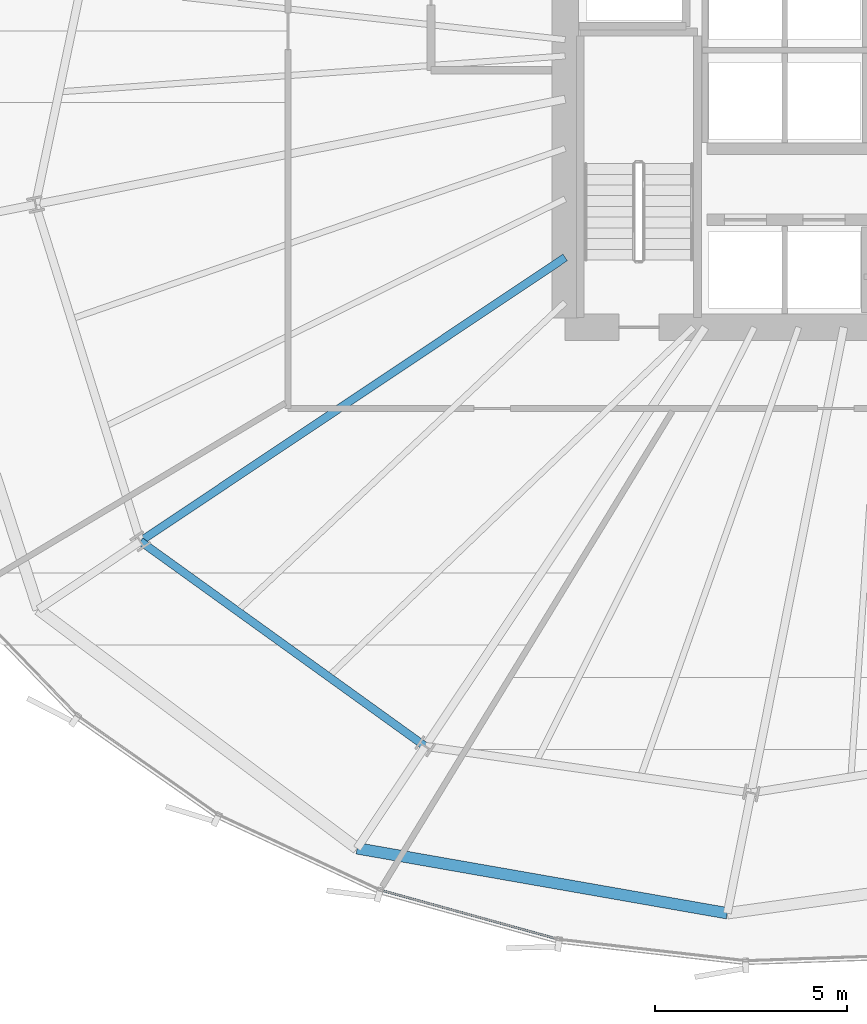
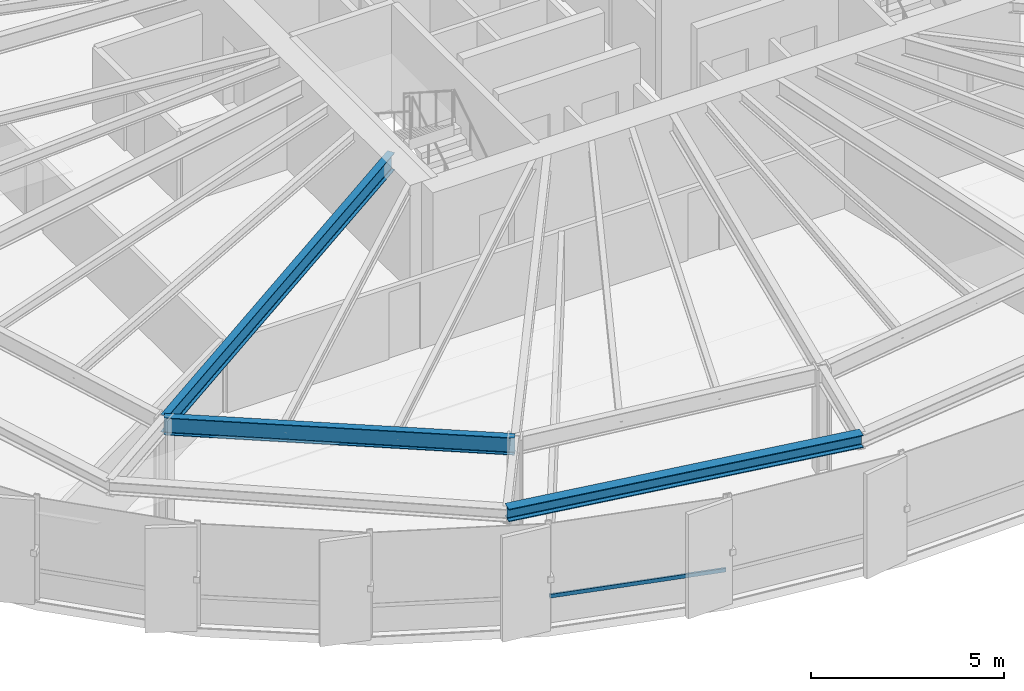
# One storey, part 4 of 35: 3 beams, 1 member, 1 element without a shape of its own.
"""IFC4 building model written with IfcOpenShell, lengths in metres."""

from ifc_helpers import new_model, si_unit, direction, frame, origin, origin_2d, place, context, subcontext, project, spatial, hollow_rectangle, i_section, extrude, source, transform, mapped, material, layer, layer_set, material_profile, profile_set, type_object, element, aggregate, save


model = new_model("IFC4")

# Units and contexts
model_context = context("Model", 3, precision=1e-05, world=origin(), true_north=direction((0.0, 1.0)))
body_context = subcontext(model_context, "Body", "Model", "MODEL_VIEW")
ifc_project = project(units=[si_unit("LENGTHUNIT", "METRE"), si_unit("AREAUNIT", "SQUARE_METRE"), si_unit("VOLUMEUNIT", "CUBIC_METRE"), si_unit("PLANEANGLEUNIT", "RADIAN"), si_unit("MASSUNIT", "GRAM", prefix="KILO"), si_unit("THERMODYNAMICTEMPERATUREUNIT", "KELVIN")], contexts=[model_context])

# Site, building, storey
site_placement = place(None, origin())
site = spatial("IfcSite", under=ifc_project, at=site_placement, CompositionType="ELEMENT")
building_placement = place(site_placement, origin())
building = spatial("IfcBuilding", under=site, at=building_placement, Name="Kethvar Cultural Tower", CompositionType="ELEMENT")
storey_placement = place(building_placement, frame((0.0, 0.0, 92.800048828125)))
storey = spatial("IfcBuildingStorey", under=building, at=storey_placement, Name="L22", CompositionType="ELEMENT", Elevation=92.800048828125)

# Beams
ifc_material_1 = material(Name="Steel S355J2", Category="steel")
ifc_material_profile_1 = material_profile(ifc_material_1, i_section(OverallWidth=0.2099609375, OverallDepth=0.550048828125, WebThickness=0.010986328125, FlangeThickness=0.01708984375, FilletRadius=0.02392578125, at=origin_2d()), Name="Steel S355J2 — IPE550")
ifc_profile_set_1 = profile_set([ifc_material_profile_1], Name="Steel S355J2 — IPE550")
beam_type_1 = type_object("IfcBeamType", Name="BM-IPE550", PredefinedType="BEAM", material=ifc_profile_set_1)
shared_shape_1 = source(origin(), body_context, "Body", "SweptSolid", [
    extrude(i_section(OverallWidth=0.2099609375, OverallDepth=0.550048828125, WebThickness=0.010986328125, FlangeThickness=0.01708984375, FilletRadius=0.02392578125, at=origin_2d()), origin(), (0.0, 0.0, 1.0), 13.324951171875),
])
beam_1_placement = place(storey_placement, frame((38.0, 21.919921875, 3.072998046875), z_axis=(-0.831474815475, -0.555562445843, 0.0), x_axis=(0.555562445843, -0.831474815475, 0.0)))
element("IfcBeam", 1, at=beam_1_placement, inside=storey, type_object=beam_type_1, Name="L22 Primary Radial Beam RB-10", PredefinedType="BEAM", context=body_context, shape_type="MappedRepresentation", body=[
    mapped(shared_shape_1, transform((0.0, 0.0, 0.0), scale=1.0)),
])
shared_shape_2 = source(origin(), body_context, "Body", "SweptSolid", [
    extrude(i_section(OverallWidth=0.2099609375, OverallDepth=0.550048828125, WebThickness=0.010986328125, FlangeThickness=0.01708984375, FilletRadius=0.02392578125, at=origin_2d()), origin(), (0.0, 0.0, 1.0), 9.155029296875),
])
beam_2_placement = place(storey_placement, frame((26.920654296875, 14.51708984375, 3.072998046875), z_axis=(0.811590987974, -0.584226042076, 0.0), x_axis=(0.584226042076, 0.811590987974, 0.0)))
element("IfcBeam", 2, at=beam_2_placement, inside=storey, type_object=beam_type_1, Name="L22 Column Ring Tie Beam CR-10", PredefinedType="BEAM", context=body_context, shape_type="MappedRepresentation", body=[
    mapped(shared_shape_2, transform((0.0, 0.0, 0.0), scale=1.0)),
])
ifc_material_profile_2 = material_profile(ifc_material_1, i_section(OverallWidth=0.300048828125, OverallDepth=0.39990234375, WebThickness=0.013427734375, FlangeThickness=0.02392578125, FilletRadius=0.027099609375, at=origin_2d()), Name="Steel S355J2 — HEB400")
ifc_profile_set_2 = profile_set([ifc_material_profile_2], Name="Steel S355J2 — HEB400")
beam_type_2 = type_object("IfcBeamType", Name="BM-SP400", PredefinedType="SPANDREL", material=ifc_profile_set_2)
shared_shape_3 = source(origin(), body_context, "Body", "SweptSolid", [
    extrude(i_section(OverallWidth=0.300048828125, OverallDepth=0.39990234375, WebThickness=0.013427734375, FlangeThickness=0.02392578125, FilletRadius=0.027099609375, at=origin_2d()), origin(), (0.0, 0.0, 1.0), 9.80224609375),
])
beam_3_placement = place(storey_placement, frame((32.572998046875, 6.5078125, 3.14794921875), z_axis=(0.984974273513, -0.172701130618, 0.0), x_axis=(0.172701130618, 0.984974273513, 0.0)))
element("IfcBeam", 3, at=beam_3_placement, inside=storey, type_object=beam_type_2, Name="L22 Perimeter Spandrel Beam SP-11", PredefinedType="SPANDREL", context=body_context, shape_type="MappedRepresentation", body=[
    mapped(shared_shape_3, transform((0.0, 0.0, 0.0), scale=1.0)),
])

# Curtain wall, member
ifc_material_2 = material(Name="Aluminium 6063-T6", Category="aluminium")
ifc_layer = layer(ifc_material_2, 0.179931640625, Name="Aluminium 6063-T6", Category="aluminium")
ifc_layer_set = layer_set([ifc_layer], Name="Aluminium 6063-T6 (180 mm)")
curtain_wall_type = type_object("IfcCurtainWallType", Name="CW-SYS-03-Z2", PredefinedType="NOTDEFINED", material=ifc_layer_set)
curtain_wall_placement = place(storey_placement, origin())
curtain_wall = element("IfcCurtainWall", 4, at=curtain_wall_placement, inside=storey, type_object=curtain_wall_type, Name="L22 Curtain Wall Run 04", PredefinedType="NOTDEFINED")
ifc_material_profile_3 = material_profile(ifc_material_2, hollow_rectangle(XDim=0.054931640625, YDim=0.1201171875, WallThickness=0.00390625, at=origin_2d()), Name="Aluminium 6063-T6 — RHS120x55x4")
ifc_profile_set_3 = profile_set([ifc_material_profile_3], Name="Aluminium 6063-T6 — RHS120x55x4")
member_type = type_object("IfcMemberType", Name="CW-SYS-03-Z2-TRN", PredefinedType="USERDEFINED", material=ifc_profile_set_3)
shared_shape_4 = source(origin(), body_context, "Body", "SweptSolid", [
    extrude(hollow_rectangle(XDim=0.054931640625, YDim=0.1201171875, WallThickness=0.00390625, at=origin_2d()), origin(), (0.0, 0.0, 1.0), 4.73388671875),
])
member_placement = place(storey_placement, frame((33.216064453125, 5.409912109375, 0.949951171875), z_axis=(0.963841563094, -0.266475967495, 0.0), x_axis=(0.266475967495, 0.963841563094, 0.0)))
member = element("IfcMember", 5, at=member_placement, type_object=member_type, Name="CW-L22-R04 Transom 6", ObjectType="TRANSOM", PredefinedType="USERDEFINED", context=body_context, shape_type="MappedRepresentation", body=[
    mapped(shared_shape_4, transform((0.0, 0.0, 0.0), scale=1.0)),
])
aggregate(curtain_wall, [member])

save(model, "model.ifc")
